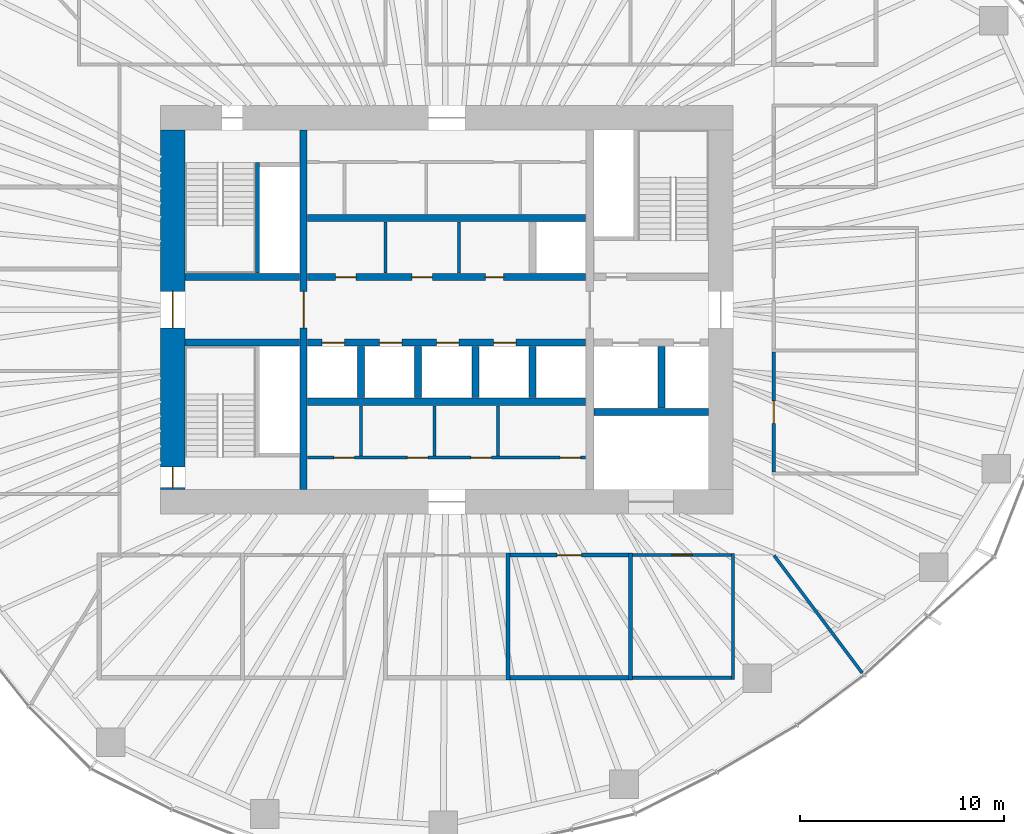
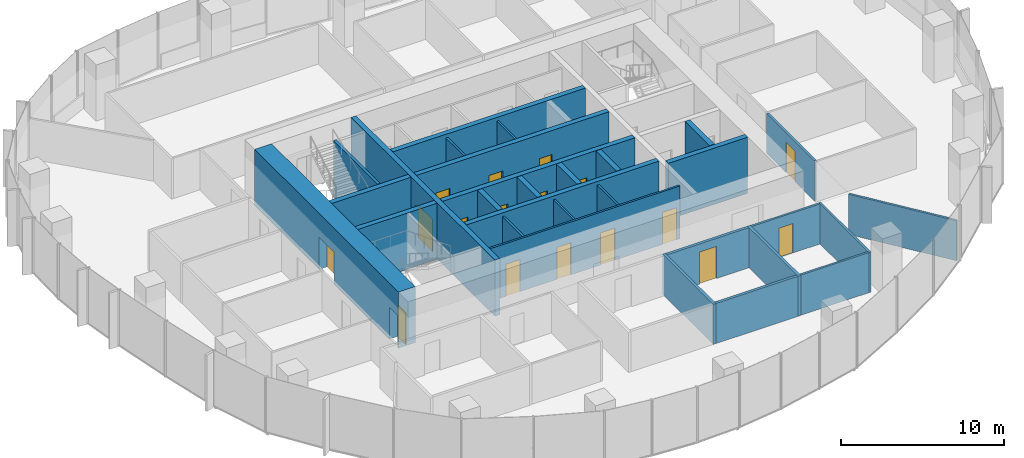
# One storey, part 9 of 18: 30 walls, 17 doors, 17 openings.
"""IFC4 building model written with IfcOpenShell, lengths in metres."""

from ifc_helpers import new_model, si_unit, direction, frame, frame_2d, origin, place, context, subcontext, project, spatial, rectangle, extrude, material, layer, layer_set, type_object, element, fill, save


model = new_model("IFC4")

# Units and contexts
model_context = context("Model", 3, precision=1e-05, world=origin(), true_north=direction((0.0, 1.0)))
body_context = subcontext(model_context, "Body", "Model", "MODEL_VIEW")
ifc_project = project(units=[si_unit("LENGTHUNIT", "METRE"), si_unit("AREAUNIT", "SQUARE_METRE"), si_unit("VOLUMEUNIT", "CUBIC_METRE"), si_unit("PLANEANGLEUNIT", "RADIAN"), si_unit("MASSUNIT", "GRAM", prefix="KILO")], contexts=[model_context])

# Site, building, storey
site_placement = place(None, origin())
site = spatial("IfcSite", under=ifc_project, at=site_placement, CompositionType="ELEMENT")
building_placement = place(site_placement, origin())
building = spatial("IfcBuilding", under=site, at=building_placement, Name="Ghaith Harvest Tower", CompositionType="ELEMENT")
storey_placement = place(building_placement, frame((0.0, 0.0, 151.199951171875)))
storey = spatial("IfcBuildingStorey", under=building, at=storey_placement, Name="L32", CompositionType="ELEMENT", Elevation=151.199951171875)

# Walls
ifc_material_1 = material(Name="Twin-stud gypsum board, acoustic", Category="gypsum")
ifc_layer_1 = layer(ifc_material_1, 0.199951171875)
ifc_layer_set_1 = layer_set([ifc_layer_1], Name="ACOUSTIC PARTITION 200")
wall_type_1 = type_object("IfcWallType", Name="ACOUSTIC PARTITION 200", PredefinedType="PARTITIONING", material=ifc_layer_set_1)
for number, where, z_axis, x_axis, name in (
    (1, (3.0, -11.89990234375, 0.0), (0.0, 0.0, 1.0), (0.0, -1.0, 0.0), "Partition L32 row S4 cross wall 2"),
    (2, (9.0, -11.89990234375, 0.0), (0.0, 0.0, 1.0), (0.0, -1.0, 0.0), "Partition L32 row S4 cross wall 3"),
):
    element("IfcWall", number, at=place(storey_placement, frame(where, z_axis=z_axis, x_axis=x_axis)), inside=storey, type_object=wall_type_1, Name=name, PredefinedType="PARTITIONING", context=body_context, shape_type="SweptSolid", body=[
        extrude(rectangle(XDim=6.2001953125, YDim=0.199951171875, at=frame_2d((3.10009765625, 0.0))), origin(), (0.0, 0.0, 1.0), 3.0),
    ])

# Wall, opening, door
wall_1_placement = place(storey_placement, frame((3.10009765625, -12.0, 0.0), z_axis=(0.0, 0.0, 1.0), x_axis=(1.0, 0.0, 0.0)))
wall_1 = element("IfcWall", 3, at=wall_1_placement, inside=storey, type_object=wall_type_1, Name="Partition L32-08", PredefinedType="PARTITIONING", context=body_context, shape_type="SweptSolid", body=[
    extrude(rectangle(XDim=5.7998046875, YDim=0.199951171875, at=frame_2d((2.89990234375, 0.0))), origin(), (0.0, 0.0, 1.0), 3.0),
])
opening_1_placement = place(wall_1_placement, frame((2.300048828125, 0.0, 0.0)))
opening_1 = element("IfcOpeningElement", 4, at=opening_1_placement, cuts=wall_1, Name="Opening 32-035", PredefinedType="OPENING", context=body_context, shape_type="SweptSolid", body=[
    extrude(rectangle(XDim=1.199951171875, YDim=2.39990234375, at=frame_2d((0.60009765625, 1.199951171875))), frame((0.0, 0.10986328125, 0.0), z_axis=(0.0, -1.0, 0.0), x_axis=(1.0, 0.0, 0.0)), (0.0, 0.0, 1.0), 0.219970703125),
])
ifc_material_2 = material(Name="Timber door", Category="wood")
door_type_1 = type_object("IfcDoorType", Name="D11 GLAZED 1200x2400", OperationType="SINGLE_SWING_LEFT", PredefinedType="DOOR", material=ifc_material_2)
door_1_placement = place(opening_1_placement, origin())
door_1 = element("IfcDoor", 5, at=door_1_placement, inside=storey, type_object=door_type_1, Name="Meeting room door", OperationType="SINGLE_SWING_LEFT", OverallHeight=2.39990234375, OverallWidth=1.199951171875, PredefinedType="DOOR", context=body_context, shape_type="SweptSolid", body=[
    extrude(rectangle(XDim=1.199951171875, YDim=2.39990234375, at=frame_2d((0.60009765625, 1.199951171875))), frame((0.0, 0.02490234375, 0.0), z_axis=(0.0, -1.0, 0.0), x_axis=(1.0, 0.0, 0.0)), (0.0, 0.0, 1.0), 0.050048828125),
])
fill(opening_1, door_1)

# Wall
wall_2_placement = place(storey_placement, frame((3.10009765625, -18.0, 0.0), z_axis=(0.0, 0.0, 1.0), x_axis=(1.0, 0.0, 0.0)))
element("IfcWall", 6, at=wall_2_placement, inside=storey, type_object=wall_type_1, Name="Partition L32-08", PredefinedType="PARTITIONING", context=body_context, shape_type="SweptSolid", body=[
    extrude(rectangle(XDim=5.7998046875, YDim=0.199951171875, at=frame_2d((2.89990234375, 0.0))), origin(), (0.0, 0.0, 1.0), 3.0),
])

# Wall, openings, doors
ifc_material_3 = material(Name="Concrete blockwork, fair-faced", Category="masonry")
ifc_layer_2 = layer(ifc_material_3, 0.139892578125)
ifc_layer_set_2 = layer_set([ifc_layer_2], Name="CORE PARTITION 140")
wall_type_2 = type_object("IfcWallType", Name="CORE PARTITION 140", PredefinedType="PARTITIONING", material=ifc_layer_set_2)
wall_3_placement = place(storey_placement, frame((-6.800048828125, -7.22998046875, 0.0), z_axis=(0.0, 0.0, 1.0), x_axis=(1.0, 0.0, 0.0)))
wall_3 = element("IfcWall", 7, at=wall_3_placement, inside=storey, type_object=wall_type_2, Name="Core partition L32", PredefinedType="PARTITIONING", context=body_context, shape_type="SweptSolid", body=[
    extrude(rectangle(XDim=13.60009765625, YDim=0.139892578125, at=frame_2d((6.800048828125, 0.0))), origin(), (0.0, 0.0, 1.0), 3.949951171875),
])
opening_2_placement = place(wall_3_placement, frame((1.280029296875, 0.0, 0.0)))
opening_2 = element("IfcOpeningElement", 8, at=opening_2_placement, cuts=wall_3, Name="Opening 32-012", PredefinedType="OPENING", context=body_context, shape_type="SweptSolid", body=[
    extrude(rectangle(XDim=1.0, YDim=2.39990234375, at=frame_2d((0.5, 1.199951171875))), frame((0.0, 0.080078125, 0.0), z_axis=(0.0, -1.0, 0.0), x_axis=(1.0, 0.0, 0.0)), (0.0, 0.0, 1.0), 0.159912109375),
])
opening_3_placement = place(wall_3_placement, frame((4.8798828125, 0.0, 0.0)))
opening_3 = element("IfcOpeningElement", 9, at=opening_3_placement, cuts=wall_3, Name="Opening 32-013", PredefinedType="OPENING", context=body_context, shape_type="SweptSolid", body=[
    extrude(rectangle(XDim=1.0, YDim=2.39990234375, at=frame_2d((0.5, 1.199951171875))), frame((0.0, 0.080078125, 0.0), z_axis=(0.0, -1.0, 0.0), x_axis=(1.0, 0.0, 0.0)), (0.0, 0.0, 1.0), 0.159912109375),
])
opening_4_placement = place(wall_3_placement, frame((7.97998046875, 0.0, 0.0)))
opening_4 = element("IfcOpeningElement", 10, at=opening_4_placement, cuts=wall_3, Name="Opening 32-014", PredefinedType="OPENING", context=body_context, shape_type="SweptSolid", body=[
    extrude(rectangle(XDim=1.0, YDim=2.39990234375, at=frame_2d((0.5, 1.199951171875))), frame((0.0, 0.080078125, 0.0), z_axis=(0.0, -1.0, 0.0), x_axis=(1.0, 0.0, 0.0)), (0.0, 0.0, 1.0), 0.159912109375),
])
opening_5_placement = place(wall_3_placement, frame((12.35009765625, 0.0, 0.0)))
opening_5 = element("IfcOpeningElement", 11, at=opening_5_placement, cuts=wall_3, Name="Opening 32-015", PredefinedType="OPENING", context=body_context, shape_type="SweptSolid", body=[
    extrude(rectangle(XDim=1.0, YDim=2.39990234375, at=frame_2d((0.5, 1.199951171875))), frame((0.0, 0.080078125, 0.0), z_axis=(0.0, -1.0, 0.0), x_axis=(1.0, 0.0, 0.0)), (0.0, 0.0, 1.0), 0.159912109375),
])
ifc_material_4 = material(Name="Steel fire door", Category="steel")
door_type_2 = type_object("IfcDoorType", Name="D3 FD90 1000x2400", OperationType="SINGLE_SWING_LEFT", PredefinedType="DOOR", material=ifc_material_4)
door_2_placement = place(opening_2_placement, origin())
door_2 = element("IfcDoor", 12, at=door_2_placement, inside=storey, type_object=door_type_2, Name="Security room door", OperationType="SINGLE_SWING_LEFT", OverallHeight=2.39990234375, OverallWidth=1.0, PredefinedType="DOOR", context=body_context, shape_type="SweptSolid", body=[
    extrude(rectangle(XDim=1.0, YDim=2.39990234375, at=frame_2d((0.5, 1.199951171875))), frame((0.0, 0.02490234375, 0.0), z_axis=(0.0, -1.0, 0.0), x_axis=(1.0, 0.0, 0.0)), (0.0, 0.0, 1.0), 0.050048828125),
])
fill(opening_2, door_2)
door_3_placement = place(opening_3_placement, origin())
door_3 = element("IfcDoor", 13, at=door_3_placement, inside=storey, type_object=door_type_2, Name="Electrical room door", OperationType="SINGLE_SWING_LEFT", OverallHeight=2.39990234375, OverallWidth=1.0, PredefinedType="DOOR", context=body_context, shape_type="SweptSolid", body=[
    extrude(rectangle(XDim=1.0, YDim=2.39990234375, at=frame_2d((0.5, 1.199951171875))), frame((0.0, 0.02490234375, 0.0), z_axis=(0.0, -1.0, 0.0), x_axis=(1.0, 0.0, 0.0)), (0.0, 0.0, 1.0), 0.050048828125),
])
fill(opening_3, door_3)
door_4_placement = place(opening_4_placement, origin())
door_4 = element("IfcDoor", 14, at=door_4_placement, inside=storey, type_object=door_type_2, Name="Communications equipment room door", OperationType="SINGLE_SWING_RIGHT", OverallHeight=2.39990234375, OverallWidth=1.0, PredefinedType="DOOR", context=body_context, shape_type="SweptSolid", body=[
    extrude(rectangle(XDim=1.0, YDim=2.39990234375, at=frame_2d((0.5, 1.199951171875))), frame((0.0, 0.02490234375, 0.0), z_axis=(0.0, -1.0, 0.0), x_axis=(1.0, 0.0, 0.0)), (0.0, 0.0, 1.0), 0.050048828125),
])
fill(opening_4, door_4)
door_5_placement = place(opening_5_placement, origin())
door_5 = element("IfcDoor", 15, at=door_5_placement, inside=storey, type_object=door_type_2, Name="Riser room door", OperationType="SINGLE_SWING_RIGHT", OverallHeight=2.39990234375, OverallWidth=1.0, PredefinedType="DOOR", context=body_context, shape_type="SweptSolid", body=[
    extrude(rectangle(XDim=1.0, YDim=2.39990234375, at=frame_2d((0.5, 1.199951171875))), frame((0.0, 0.02490234375, 0.0), z_axis=(0.0, -1.0, 0.0), x_axis=(1.0, 0.0, 0.0)), (0.0, 0.0, 1.0), 0.050048828125),
])
fill(opening_5, door_5)

# Walls
for number, where, z_axis, x_axis, name in (
    (16, (-4.199951171875, -4.699951171875, 0.0), (0.0, 0.0, 1.0), (0.0, -1.0, 0.0), "Core partition L32"),
    (17, (-0.60009765625, -4.699951171875, 0.0), (0.0, 0.0, 1.0), (0.0, -1.0, 0.0), "Core partition L32"),
    (18, (2.5, -4.699951171875, 0.0), (0.0, 0.0, 1.0), (0.0, -1.0, 0.0), "Core partition L32"),
):
    element("IfcWall", number, at=place(storey_placement, frame(where, z_axis=z_axis, x_axis=x_axis)), inside=storey, type_object=wall_type_2, Name=name, PredefinedType="PARTITIONING", context=body_context, shape_type="SweptSolid", body=[
        extrude(rectangle(XDim=2.4599609375, YDim=0.139892578125, at=frame_2d((1.22998046875, 0.0))), origin(), (0.0, 0.0, 1.0), 3.949951171875),
    ])
for number, where, z_axis, x_axis, name in (
    (19, (-3.0, 1.800048828125, 0.0), (0.0, 0.0, 1.0), (0.0, 1.0, 0.0), "Core partition L32"),
    (20, (0.60009765625, 1.800048828125, 0.0), (0.0, 0.0, 1.0), (0.0, 1.0, 0.0), "Core partition L32"),
):
    element("IfcWall", number, at=place(storey_placement, frame(where, z_axis=z_axis, x_axis=x_axis)), inside=storey, type_object=wall_type_2, Name=name, PredefinedType="PARTITIONING", context=body_context, shape_type="SweptSolid", body=[
        extrude(rectangle(XDim=2.5, YDim=0.139892578125, at=frame_2d((1.25, 0.0))), origin(), (0.0, 0.0, 1.0), 3.949951171875),
    ])

# Wall, openings, doors
ifc_material_5 = material(Name="Concrete C60/75", Category="concrete")
ifc_layer_3 = layer(ifc_material_5, 1.199951171875)
ifc_layer_set_3 = layer_set([ifc_layer_3], Name="CORE WALL CW1200 C60")
wall_type_3 = type_object("IfcWallType", Name="CORE WALL CW1200 C60", PredefinedType="SHEAR", material=ifc_layer_set_3)
wall_4_placement = place(storey_placement, frame((-13.39990234375, 8.800048828125, 0.0), z_axis=(0.0, 0.0, 1.0), x_axis=(0.0, -1.0, 0.0)))
wall_4 = element("IfcWall", 21, at=wall_4_placement, inside=storey, type_object=wall_type_3, Name="Core wall W L32", PredefinedType="SHEAR", context=body_context, shape_type="SweptSolid", body=[
    extrude(rectangle(XDim=17.60009765625, YDim=1.199951171875, at=frame_2d((8.800048828125, 0.0))), origin(), (0.0, 0.0, 1.0), 4.199951171875),
])
opening_6_placement = place(wall_4_placement, frame((7.89990234375, 0.0, 0.0)))
opening_6 = element("IfcOpeningElement", 22, at=opening_6_placement, cuts=wall_4, Name="Opening 32-001", PredefinedType="OPENING", context=body_context, shape_type="SweptSolid", body=[
    extrude(rectangle(XDim=1.800048828125, YDim=2.39990234375, at=frame_2d((0.89990234375, 1.199951171875))), frame((0.0, 0.60986328125, 0.0), z_axis=(0.0, -1.0, 0.0), x_axis=(1.0, 0.0, 0.0)), (0.0, 0.0, 1.0), 1.219970703125),
])
opening_7_placement = place(wall_4_placement, frame((16.5, 0.0, 0.0)))
opening_7 = element("IfcOpeningElement", 23, at=opening_7_placement, cuts=wall_4, Name="Opening 32-006", PredefinedType="OPENING", context=body_context, shape_type="SweptSolid", body=[
    extrude(rectangle(XDim=1.0, YDim=2.39990234375, at=frame_2d((0.5, 1.199951171875))), frame((0.0, 0.60986328125, 0.0), z_axis=(0.0, -1.0, 0.0), x_axis=(1.0, 0.0, 0.0)), (0.0, 0.0, 1.0), 1.219970703125),
])
door_6_placement = place(opening_7_placement, origin())
door_6 = element("IfcDoor", 24, at=door_6_placement, inside=storey, type_object=door_type_2, Name="Stair ST3 door", OperationType="SINGLE_SWING_RIGHT", OverallHeight=2.39990234375, OverallWidth=1.0, PredefinedType="DOOR", context=body_context, shape_type="SweptSolid", body=[
    extrude(rectangle(XDim=1.0, YDim=2.39990234375, at=frame_2d((0.5, 1.199951171875))), frame((0.0, 0.02490234375, 0.0), z_axis=(0.0, -1.0, 0.0), x_axis=(1.0, 0.0, 0.0)), (0.0, 0.0, 1.0), 0.050048828125),
])
fill(opening_7, door_6)
ifc_material_6 = material(Name="Steel fire door", Category="steel")
door_type_3 = type_object("IfcDoorType", Name="D4 FD90 PAIR 1800x2400", OperationType="DOUBLE_DOOR_SINGLE_SWING", PredefinedType="DOOR", material=ifc_material_6)
door_7_placement = place(opening_6_placement, origin())
door_7 = element("IfcDoor", 25, at=door_7_placement, inside=storey, type_object=door_type_3, Name="West lobby doors", OperationType="DOUBLE_DOOR_SINGLE_SWING", OverallHeight=2.39990234375, OverallWidth=1.800048828125, PredefinedType="DOOR", context=body_context, shape_type="SweptSolid", body=[
    extrude(rectangle(XDim=1.800048828125, YDim=2.39990234375, at=frame_2d((0.89990234375, 1.199951171875))), frame((0.0, 0.02490234375, 0.0), z_axis=(0.0, -1.0, 0.0), x_axis=(1.0, 0.0, 0.0)), (0.0, 0.0, 1.0), 0.050048828125),
])
fill(opening_6, door_7)

# Wall
ifc_material_7 = material(Name="Gypsum board on steel studs", Category="steel")
ifc_layer_4 = layer(ifc_material_7, 0.14990234375)
ifc_layer_set_4 = layer_set([ifc_layer_4], Name="PARTITION 150")
wall_type_4 = type_object("IfcWallType", Name="PARTITION 150", PredefinedType="PARTITIONING", material=ifc_layer_set_4)
wall_5_placement = place(storey_placement, frame((14.0, -11.925048828125, 0.0), z_axis=(0.0, 0.0, 1.0), x_axis=(0.0, -1.0, 0.0)))
element("IfcWall", 26, at=wall_5_placement, inside=storey, type_object=wall_type_4, Name="Partition L32 row S4 cross wall 4", PredefinedType="PARTITIONING", context=body_context, shape_type="SweptSolid", body=[
    extrude(rectangle(XDim=6.14990234375, YDim=0.14990234375, at=frame_2d((3.074951171875, 0.0))), origin(), (0.0, 0.0, 1.0), 3.0),
])

# Wall, opening, door
wall_6_placement = place(storey_placement, frame((9.10009765625, -12.0, 0.0), z_axis=(0.0, 0.0, 1.0), x_axis=(1.0, 0.0, 0.0)))
wall_6 = element("IfcWall", 27, at=wall_6_placement, inside=storey, type_object=wall_type_4, Name="Partition L32-09", PredefinedType="PARTITIONING", context=body_context, shape_type="SweptSolid", body=[
    extrude(rectangle(XDim=4.824951171875, YDim=0.14990234375, at=frame_2d((2.41259765625, 0.0))), origin(), (0.0, 0.0, 1.0), 3.0),
])
opening_8_placement = place(wall_6_placement, frame((1.91259765625, 0.0, 0.0)))
opening_8 = element("IfcOpeningElement", 28, at=opening_8_placement, cuts=wall_6, Name="Opening 32-036", PredefinedType="OPENING", context=body_context, shape_type="SweptSolid", body=[
    extrude(rectangle(XDim=1.0, YDim=2.199951171875, at=frame_2d((0.5, 1.10009765625))), frame((0.0, 0.0849609375, 0.0), z_axis=(0.0, -1.0, 0.0), x_axis=(1.0, 0.0, 0.0)), (0.0, 0.0, 1.0), 0.169921875),
])
ifc_material_8 = material(Name="Timber door", Category="wood")
door_type_4 = type_object("IfcDoorType", Name="D1 SINGLE 1000x2200", OperationType="SINGLE_SWING_LEFT", PredefinedType="DOOR", material=ifc_material_8)
door_8_placement = place(opening_8_placement, origin())
door_8 = element("IfcDoor", 29, at=door_8_placement, inside=storey, type_object=door_type_4, Name="Pantry door", OperationType="SINGLE_SWING_LEFT", OverallHeight=2.199951171875, OverallWidth=1.0, PredefinedType="DOOR", context=body_context, shape_type="SweptSolid", body=[
    extrude(rectangle(XDim=1.0, YDim=2.199951171875, at=frame_2d((0.5, 1.10009765625))), frame((0.0, 0.02490234375, 0.0), z_axis=(0.0, -1.0, 0.0), x_axis=(1.0, 0.0, 0.0)), (0.0, 0.0, 1.0), 0.050048828125),
])
fill(opening_8, door_8)

# Wall
wall_7_placement = place(storey_placement, frame((9.10009765625, -18.0, 0.0), z_axis=(0.0, 0.0, 1.0), x_axis=(1.0, 0.0, 0.0)))
element("IfcWall", 30, at=wall_7_placement, inside=storey, type_object=wall_type_4, Name="Partition L32-09", PredefinedType="PARTITIONING", context=body_context, shape_type="SweptSolid", body=[
    extrude(rectangle(XDim=4.824951171875, YDim=0.14990234375, at=frame_2d((2.41259765625, 0.0))), origin(), (0.0, 0.0, 1.0), 3.0),
])

# Wall, opening, door
wall_8_placement = place(storey_placement, frame((16.0, -7.925048828125, 0.0), z_axis=(0.0, 0.0, 1.0), x_axis=(0.0, 1.0, 0.0)))
wall_8 = element("IfcWall", 31, at=wall_8_placement, inside=storey, type_object=wall_type_4, Name="Partition L32-10", PredefinedType="PARTITIONING", context=body_context, shape_type="SweptSolid", body=[
    extrude(rectangle(XDim=5.85009765625, YDim=0.14990234375, at=frame_2d((2.925048828125, 0.0))), origin(), (0.0, 0.0, 1.0), 3.0),
])
opening_9_placement = place(wall_8_placement, frame((2.375, 0.0, 0.0)))
opening_9 = element("IfcOpeningElement", 32, at=opening_9_placement, cuts=wall_8, Name="Opening 32-037", PredefinedType="OPENING", context=body_context, shape_type="SweptSolid", body=[
    extrude(rectangle(XDim=1.10009765625, YDim=2.300048828125, at=frame_2d((0.550048828125, 1.14990234375))), frame((0.0, 0.0849609375, 0.0), z_axis=(0.0, -1.0, 0.0), x_axis=(1.0, 0.0, 0.0)), (0.0, 0.0, 1.0), 0.169921875),
])
ifc_material_9 = material(Name="Timber-framed glazed door", Category="wood")
door_type_5 = type_object("IfcDoorType", Name="D12 GLAZED OFFICE 1100x2300", OperationType="SINGLE_SWING_LEFT", PredefinedType="DOOR", material=ifc_material_9)
door_9_placement = place(opening_9_placement, origin())
door_9 = element("IfcDoor", 33, at=door_9_placement, inside=storey, type_object=door_type_5, Name="Office door", OperationType="SINGLE_SWING_LEFT", OverallHeight=2.300048828125, OverallWidth=1.10009765625, PredefinedType="DOOR", context=body_context, shape_type="SweptSolid", body=[
    extrude(rectangle(XDim=1.10009765625, YDim=2.300048828125, at=frame_2d((0.550048828125, 1.14990234375))), frame((0.0, 0.02490234375, 0.0), z_axis=(0.0, -1.0, 0.0), x_axis=(1.0, 0.0, 0.0)), (0.0, 0.0, 1.0), 0.050048828125),
])
fill(opening_9, door_9)

# Wall
wall_9_placement = place(storey_placement, frame((16.011962890625, -12.01611328125, 0.0), z_axis=(0.0, 0.0, 1.0), x_axis=(0.600059749679, -0.799955184254, 0.0)))
element("IfcWall", 34, at=wall_9_placement, inside=storey, type_object=wall_type_4, Name="Partition L32 zone division", PredefinedType="PARTITIONING", context=body_context, shape_type="SweptSolid", body=[
    extrude(rectangle(XDim=7.191162109375, YDim=0.14990234375, at=frame_2d((3.595703125, 0.0))), origin(), (0.0, 0.0, 1.0), 3.0),
])

# Wall, opening, door
ifc_material_10 = material(Name="Concrete C60/75", Category="concrete")
ifc_layer_5 = layer(ifc_material_10, 0.35009765625)
ifc_layer_set_5 = layer_set([ifc_layer_5], Name="SHAFT WALL 350")
wall_type_5 = type_object("IfcWallType", Name="SHAFT WALL 350", PredefinedType="SHEAR", material=ifc_layer_set_5)
wall_10_placement = place(storey_placement, frame((-7.0, -8.800048828125, 0.0), z_axis=(0.0, 0.0, 1.0), x_axis=(0.0, 1.0, 0.0)))
wall_10 = element("IfcWall", 35, at=wall_10_placement, inside=storey, type_object=wall_type_5, Name="Shaft wall W7W L32", PredefinedType="SHEAR", context=body_context, shape_type="SweptSolid", body=[
    extrude(rectangle(XDim=17.60009765625, YDim=0.35009765625, at=frame_2d((8.800048828125, 0.0))), origin(), (0.0, 0.0, 1.0), 4.199951171875),
])
opening_10_placement = place(wall_10_placement, frame((7.89990234375, 0.0, 0.0)))
opening_10 = element("IfcOpeningElement", 36, at=opening_10_placement, cuts=wall_10, Name="Opening 32-003", PredefinedType="OPENING", context=body_context, shape_type="SweptSolid", body=[
    extrude(rectangle(XDim=1.800048828125, YDim=2.39990234375, at=frame_2d((0.89990234375, 1.199951171875))), frame((0.0, 0.18505859375, 0.0), z_axis=(0.0, -1.0, 0.0), x_axis=(1.0, 0.0, 0.0)), (0.0, 0.0, 1.0), 0.3701171875),
])
door_10_placement = place(opening_10_placement, origin())
door_10 = element("IfcDoor", 37, at=door_10_placement, inside=storey, type_object=door_type_3, Name="Lift lobby doors, west", OperationType="DOUBLE_DOOR_SINGLE_SWING", OverallHeight=2.39990234375, OverallWidth=1.800048828125, PredefinedType="DOOR", context=body_context, shape_type="SweptSolid", body=[
    extrude(rectangle(XDim=1.800048828125, YDim=2.39990234375, at=frame_2d((0.89990234375, 1.199951171875))), frame((0.0, 0.02490234375, 0.0), z_axis=(0.0, -1.0, 0.0), x_axis=(1.0, 0.0, 0.0)), (0.0, 0.0, 1.0), 0.050048828125),
])
fill(opening_10, door_10)

# Wall, openings, doors
wall_11_placement = place(storey_placement, frame((-6.800048828125, 1.60009765625, 0.0), z_axis=(0.0, 0.0, 1.0), x_axis=(1.0, 0.0, 0.0)))
wall_11 = element("IfcWall", 38, at=wall_11_placement, inside=storey, type_object=wall_type_5, Name="Shaft wall LN L32", PredefinedType="SHEAR", context=body_context, shape_type="SweptSolid", body=[
    extrude(rectangle(XDim=13.60009765625, YDim=0.35009765625, at=frame_2d((6.800048828125, 0.0))), origin(), (0.0, 0.0, 1.0), 4.199951171875),
])
opening_11_placement = place(wall_11_placement, frame((1.364990234375, 0.0, 0.0)))
opening_11 = element("IfcOpeningElement", 39, at=opening_11_placement, cuts=wall_11, Name="Opening 32-016", PredefinedType="OPENING", context=body_context, shape_type="SweptSolid", body=[
    extrude(rectangle(XDim=1.0, YDim=2.39990234375, at=frame_2d((0.5, 1.199951171875))), frame((0.0, 0.18505859375, 0.0), z_axis=(0.0, -1.0, 0.0), x_axis=(1.0, 0.0, 0.0)), (0.0, 0.0, 1.0), 0.3701171875),
])
opening_12_placement = place(wall_11_placement, frame((5.10009765625, 0.0, 0.0)))
opening_12 = element("IfcOpeningElement", 40, at=opening_12_placement, cuts=wall_11, Name="Opening 32-017", PredefinedType="OPENING", context=body_context, shape_type="SweptSolid", body=[
    extrude(rectangle(XDim=1.0, YDim=2.39990234375, at=frame_2d((0.5, 1.199951171875))), frame((0.0, 0.18505859375, 0.0), z_axis=(0.0, -1.0, 0.0), x_axis=(1.0, 0.0, 0.0)), (0.0, 0.0, 1.0), 0.3701171875),
])
opening_13_placement = place(wall_11_placement, frame((8.68505859375, 0.0, 0.0)))
opening_13 = element("IfcOpeningElement", 41, at=opening_13_placement, cuts=wall_11, Name="Opening 32-018", PredefinedType="OPENING", context=body_context, shape_type="SweptSolid", body=[
    extrude(rectangle(XDim=0.89990234375, YDim=2.39990234375, at=frame_2d((0.449951171875, 1.199951171875))), frame((0.0, 0.18505859375, 0.0), z_axis=(0.0, -1.0, 0.0), x_axis=(1.0, 0.0, 0.0)), (0.0, 0.0, 1.0), 0.3701171875),
])
door_11_placement = place(opening_11_placement, origin())
door_11 = element("IfcDoor", 42, at=door_11_placement, inside=storey, type_object=door_type_2, Name="Staff WC door", OperationType="SINGLE_SWING_LEFT", OverallHeight=2.39990234375, OverallWidth=1.0, PredefinedType="DOOR", context=body_context, shape_type="SweptSolid", body=[
    extrude(rectangle(XDim=1.0, YDim=2.39990234375, at=frame_2d((0.5, 1.199951171875))), frame((0.0, 0.02490234375, 0.0), z_axis=(0.0, -1.0, 0.0), x_axis=(1.0, 0.0, 0.0)), (0.0, 0.0, 1.0), 0.050048828125),
])
fill(opening_11, door_11)
door_12_placement = place(opening_12_placement, origin())
door_12 = element("IfcDoor", 43, at=door_12_placement, inside=storey, type_object=door_type_2, Name="Staff WC door", OperationType="SINGLE_SWING_LEFT", OverallHeight=2.39990234375, OverallWidth=1.0, PredefinedType="DOOR", context=body_context, shape_type="SweptSolid", body=[
    extrude(rectangle(XDim=1.0, YDim=2.39990234375, at=frame_2d((0.5, 1.199951171875))), frame((0.0, 0.02490234375, 0.0), z_axis=(0.0, -1.0, 0.0), x_axis=(1.0, 0.0, 0.0)), (0.0, 0.0, 1.0), 0.050048828125),
])
fill(opening_12, door_12)
ifc_material_11 = material(Name="Steel fire door", Category="steel")
door_type_6 = type_object("IfcDoorType", Name="D5 FD90 900x2400", OperationType="SINGLE_SWING_LEFT", PredefinedType="DOOR", material=ifc_material_11)
door_13_placement = place(opening_13_placement, origin())
door_13 = element("IfcDoor", 44, at=door_13_placement, inside=storey, type_object=door_type_6, Name="Lobby store door", OperationType="SINGLE_SWING_RIGHT", OverallHeight=2.39990234375, OverallWidth=0.89990234375, PredefinedType="DOOR", context=body_context, shape_type="SweptSolid", body=[
    extrude(rectangle(XDim=0.89990234375, YDim=2.39990234375, at=frame_2d((0.449951171875, 1.199951171875))), frame((0.0, 0.02490234375, 0.0), z_axis=(0.0, -1.0, 0.0), x_axis=(1.0, 0.0, 0.0)), (0.0, 0.0, 1.0), 0.050048828125),
])
fill(opening_13, door_13)

wall_12_placement = place(storey_placement, frame((-6.800048828125, -1.60009765625, 0.0), z_axis=(0.0, 0.0, 1.0), x_axis=(1.0, 0.0, 0.0)))
wall_12 = element("IfcWall", 45, at=wall_12_placement, inside=storey, type_object=wall_type_5, Name="Shaft wall LS L32", PredefinedType="SHEAR", context=body_context, shape_type="SweptSolid", body=[
    extrude(rectangle(XDim=13.60009765625, YDim=0.35009765625, at=frame_2d((6.800048828125, 0.0))), origin(), (0.0, 0.0, 1.0), 4.199951171875),
])
opening_14_placement = place(wall_12_placement, frame((0.699951171875, 0.0, 0.0)))
opening_14 = element("IfcOpeningElement", 46, at=opening_14_placement, cuts=wall_12, Name="Opening 32-021", PredefinedType="OPENING", context=body_context, shape_type="SweptSolid", body=[
    extrude(rectangle(XDim=1.10009765625, YDim=2.39990234375, at=frame_2d((0.550048828125, 1.199951171875))), frame((0.0, 0.18505859375, 0.0), z_axis=(0.0, -1.0, 0.0), x_axis=(1.0, 0.0, 0.0)), (0.0, 0.0, 1.0), 0.3701171875),
])
opening_15_placement = place(wall_12_placement, frame((3.5, 0.0, 0.0)))
opening_15 = element("IfcOpeningElement", 47, at=opening_15_placement, cuts=wall_12, Name="Opening 32-022", PredefinedType="OPENING", context=body_context, shape_type="SweptSolid", body=[
    extrude(rectangle(XDim=1.10009765625, YDim=2.39990234375, at=frame_2d((0.550048828125, 1.199951171875))), frame((0.0, 0.18505859375, 0.0), z_axis=(0.0, -1.0, 0.0), x_axis=(1.0, 0.0, 0.0)), (0.0, 0.0, 1.0), 0.3701171875),
])
opening_16_placement = place(wall_12_placement, frame((6.300048828125, 0.0, 0.0)))
opening_16 = element("IfcOpeningElement", 48, at=opening_16_placement, cuts=wall_12, Name="Opening 32-023", PredefinedType="OPENING", context=body_context, shape_type="SweptSolid", body=[
    extrude(rectangle(XDim=1.10009765625, YDim=2.39990234375, at=frame_2d((0.550048828125, 1.199951171875))), frame((0.0, 0.18505859375, 0.0), z_axis=(0.0, -1.0, 0.0), x_axis=(1.0, 0.0, 0.0)), (0.0, 0.0, 1.0), 0.3701171875),
])
opening_17_placement = place(wall_12_placement, frame((9.10009765625, 0.0, 0.0)))
opening_17 = element("IfcOpeningElement", 49, at=opening_17_placement, cuts=wall_12, Name="Opening 32-024", PredefinedType="OPENING", context=body_context, shape_type="SweptSolid", body=[
    extrude(rectangle(XDim=1.10009765625, YDim=2.39990234375, at=frame_2d((0.550048828125, 1.199951171875))), frame((0.0, 0.18505859375, 0.0), z_axis=(0.0, -1.0, 0.0), x_axis=(1.0, 0.0, 0.0)), (0.0, 0.0, 1.0), 0.3701171875),
])
ifc_material_12 = material(Name="Steel fire door", Category="steel")
door_type_7 = type_object("IfcDoorType", Name="LD1 LANDING 1100x2400", OperationType="DOUBLE_DOOR_SLIDING", PredefinedType="DOOR", material=ifc_material_12)
door_14_placement = place(opening_14_placement, origin())
door_14 = element("IfcDoor", 50, at=door_14_placement, inside=storey, type_object=door_type_7, Name="Landing door, lift LR1", OperationType="DOUBLE_DOOR_SLIDING", OverallHeight=2.39990234375, OverallWidth=1.10009765625, PredefinedType="DOOR", context=body_context, shape_type="SweptSolid", body=[
    extrude(rectangle(XDim=1.10009765625, YDim=2.39990234375, at=frame_2d((0.550048828125, 1.199951171875))), frame((0.0, 0.02490234375, 0.0), z_axis=(0.0, -1.0, 0.0), x_axis=(1.0, 0.0, 0.0)), (0.0, 0.0, 1.0), 0.050048828125),
])
fill(opening_14, door_14)
door_15_placement = place(opening_15_placement, origin())
door_15 = element("IfcDoor", 51, at=door_15_placement, inside=storey, type_object=door_type_7, Name="Landing door, lift LR2", OperationType="DOUBLE_DOOR_SLIDING", OverallHeight=2.39990234375, OverallWidth=1.10009765625, PredefinedType="DOOR", context=body_context, shape_type="SweptSolid", body=[
    extrude(rectangle(XDim=1.10009765625, YDim=2.39990234375, at=frame_2d((0.550048828125, 1.199951171875))), frame((0.0, 0.02490234375, 0.0), z_axis=(0.0, -1.0, 0.0), x_axis=(1.0, 0.0, 0.0)), (0.0, 0.0, 1.0), 0.050048828125),
])
fill(opening_15, door_15)
door_16_placement = place(opening_16_placement, origin())
door_16 = element("IfcDoor", 52, at=door_16_placement, inside=storey, type_object=door_type_7, Name="Landing door, lift LR3", OperationType="DOUBLE_DOOR_SLIDING", OverallHeight=2.39990234375, OverallWidth=1.10009765625, PredefinedType="DOOR", context=body_context, shape_type="SweptSolid", body=[
    extrude(rectangle(XDim=1.10009765625, YDim=2.39990234375, at=frame_2d((0.550048828125, 1.199951171875))), frame((0.0, 0.02490234375, 0.0), z_axis=(0.0, -1.0, 0.0), x_axis=(1.0, 0.0, 0.0)), (0.0, 0.0, 1.0), 0.050048828125),
])
fill(opening_16, door_16)
door_17_placement = place(opening_17_placement, origin())
door_17 = element("IfcDoor", 53, at=door_17_placement, inside=storey, type_object=door_type_7, Name="Landing door, lift LR4", OperationType="DOUBLE_DOOR_SLIDING", OverallHeight=2.39990234375, OverallWidth=1.10009765625, PredefinedType="DOOR", context=body_context, shape_type="SweptSolid", body=[
    extrude(rectangle(XDim=1.10009765625, YDim=2.39990234375, at=frame_2d((0.550048828125, 1.199951171875))), frame((0.0, 0.02490234375, 0.0), z_axis=(0.0, -1.0, 0.0), x_axis=(1.0, 0.0, 0.0)), (0.0, 0.0, 1.0), 0.050048828125),
])
fill(opening_17, door_17)

# Walls
for number, where, z_axis, x_axis, name in (
    (54, (-6.800048828125, 4.5, 0.0), (0.0, 0.0, 1.0), (1.0, 0.0, 0.0), "Shaft wall BN L32"),
    (55, (-6.800048828125, -4.5, 0.0), (0.0, 0.0, 1.0), (1.0, 0.0, 0.0), "Shaft wall BS L32"),
):
    element("IfcWall", number, at=place(storey_placement, frame(where, z_axis=z_axis, x_axis=x_axis)), inside=storey, type_object=wall_type_5, Name=name, PredefinedType="SHEAR", context=body_context, shape_type="SweptSolid", body=[
        extrude(rectangle(XDim=13.60009765625, YDim=0.35009765625, at=frame_2d((6.800048828125, 0.0))), origin(), (0.0, 0.0, 1.0), 4.199951171875),
    ])
for number, where, z_axis, x_axis, name in (
    (56, (-12.800048828125, 1.60009765625, 0.0), (0.0, 0.0, 1.0), (1.0, 0.0, 0.0), "Shaft wall WN L32"),
    (57, (-12.800048828125, -1.60009765625, 0.0), (0.0, 0.0, 1.0), (1.0, 0.0, 0.0), "Shaft wall WS L32"),
):
    element("IfcWall", number, at=place(storey_placement, frame(where, z_axis=z_axis, x_axis=x_axis)), inside=storey, type_object=wall_type_5, Name=name, PredefinedType="SHEAR", context=body_context, shape_type="SweptSolid", body=[
        extrude(rectangle(XDim=5.60009765625, YDim=0.35009765625, at=frame_2d((2.800048828125, 0.0))), origin(), (0.0, 0.0, 1.0), 4.199951171875),
    ])
wall_13_placement = place(storey_placement, frame((10.5, -4.800048828125, 0.0), z_axis=(0.0, 0.0, 1.0), x_axis=(0.0, 1.0, 0.0)))
element("IfcWall", 58, at=wall_13_placement, inside=storey, type_object=wall_type_5, Name="Shaft wall FLD L32", PredefinedType="SHEAR", context=body_context, shape_type="SweptSolid", body=[
    extrude(rectangle(XDim=3.0, YDim=0.35009765625, at=frame_2d((1.5, 0.0))), origin(), (0.0, 0.0, 1.0), 4.199951171875),
])
wall_14_placement = place(storey_placement, frame((7.199951171875, -5.0, 0.0), z_axis=(0.0, 0.0, 1.0), x_axis=(1.0, 0.0, 0.0)))
element("IfcWall", 59, at=wall_14_placement, inside=storey, type_object=wall_type_5, Name="Shaft wall FLB L32", PredefinedType="SHEAR", context=body_context, shape_type="SweptSolid", body=[
    extrude(rectangle(XDim=5.60009765625, YDim=0.35009765625, at=frame_2d((2.800048828125, 0.0))), origin(), (0.0, 0.0, 1.0), 4.199951171875),
])
for number, where, z_axis, x_axis, name in (
    (60, (-4.199951171875, -4.300048828125, 0.0), (0.0, 0.0, 1.0), (0.0, 1.0, 0.0), "Shaft wall DS1 L32"),
    (61, (-1.39990234375, -4.300048828125, 0.0), (0.0, 0.0, 1.0), (0.0, 1.0, 0.0), "Shaft wall DS2 L32"),
    (62, (1.39990234375, -4.300048828125, 0.0), (0.0, 0.0, 1.0), (0.0, 1.0, 0.0), "Shaft wall DS3 L32"),
    (63, (4.199951171875, -4.300048828125, 0.0), (0.0, 0.0, 1.0), (0.0, 1.0, 0.0), "Shaft wall DS4 L32"),
):
    element("IfcWall", number, at=place(storey_placement, frame(where, z_axis=z_axis, x_axis=x_axis)), inside=storey, type_object=wall_type_5, Name=name, PredefinedType="SHEAR", context=body_context, shape_type="SweptSolid", body=[
        extrude(rectangle(XDim=2.5, YDim=0.35009765625, at=frame_2d((1.25, 0.0))), origin(), (0.0, 0.0, 1.0), 4.199951171875),
    ])
ifc_material_13 = material(Name="Concrete C40/50", Category="concrete")
ifc_layer_6 = layer(ifc_material_13, 0.199951171875)
ifc_layer_set_6 = layer_set([ifc_layer_6], Name="STAIR SPINE WALL RC200")
wall_type_6 = type_object("IfcWallType", Name="STAIR SPINE WALL RC200", PredefinedType="SOLIDWALL", material=ifc_layer_set_6)
wall_15_placement = place(storey_placement, frame((-9.25, 7.199951171875, 0.0), z_axis=(0.0, 0.0, 1.0), x_axis=(0.0, -1.0, 0.0)))
element("IfcWall", 64, at=wall_15_placement, inside=storey, type_object=wall_type_6, Name="Stair ST1 spine wall L32", PredefinedType="SOLIDWALL", context=body_context, shape_type="SweptSolid", body=[
    extrude(rectangle(XDim=5.39990234375, YDim=0.199951171875, at=frame_2d((2.699951171875, 0.0))), origin(), (0.0, 0.0, 1.0), 4.199951171875),
])

save(model, "model.ifc")
